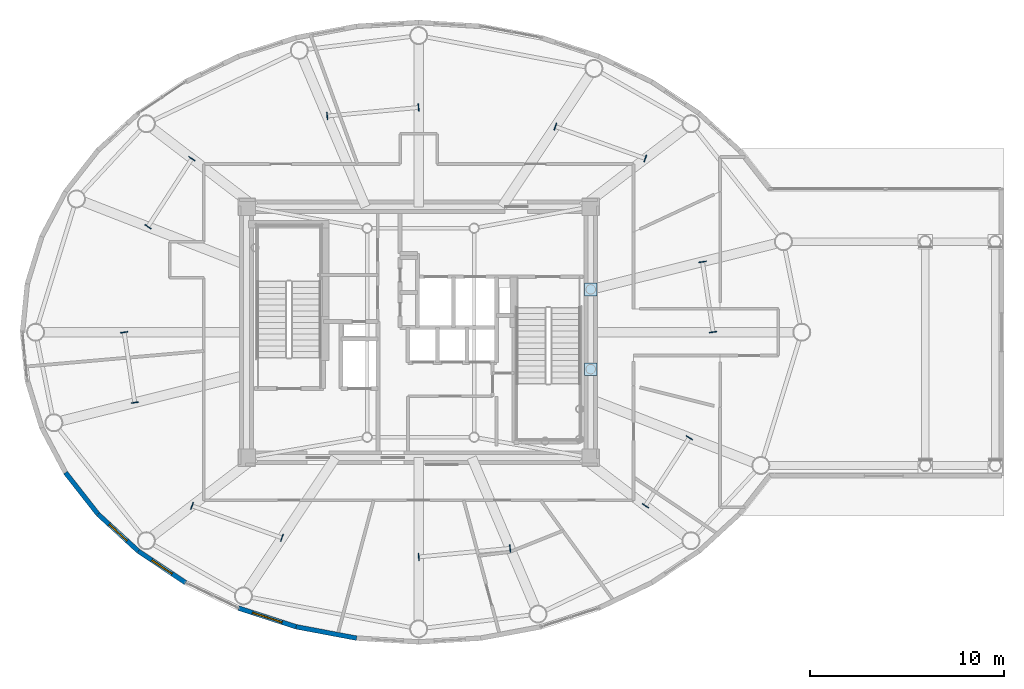
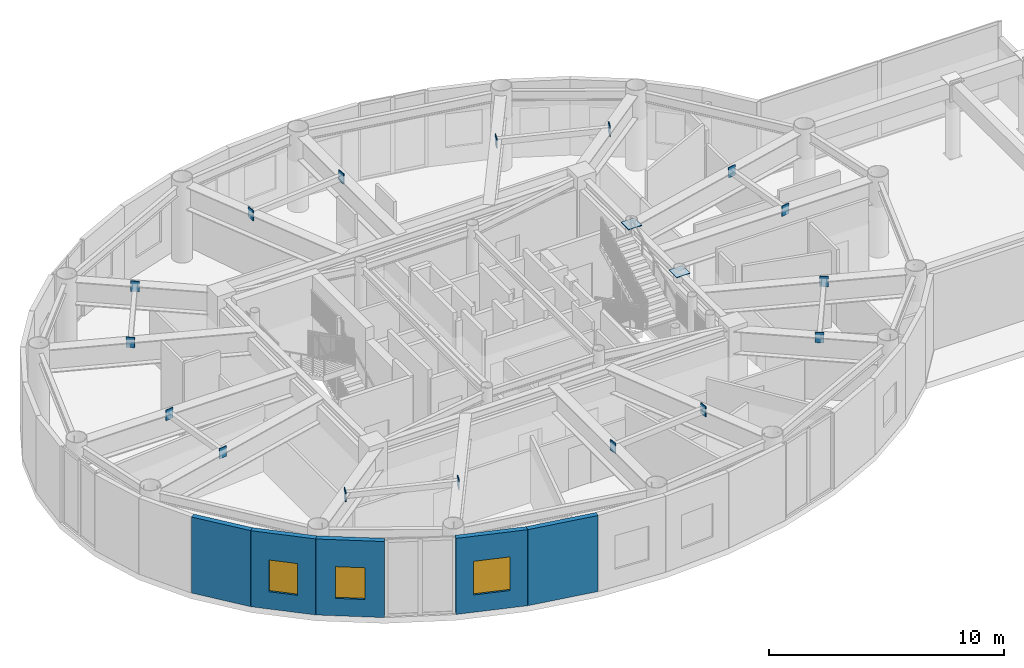
# One storey, part 15 of 26: 18 plates, 5 walls, 3 windows, 3 openings.
"""IFC4 building model written with IfcOpenShell, lengths in metres."""

from ifc_helpers import new_model, si_unit, direction, frame, frame_2d, origin, origin_2d, place, context, subcontext, project, spatial, rectangle, extrude, source, transform, mapped, material, layer, layer_set, type_object, element, fill, save


model = new_model("IFC4")

# Units and contexts
model_context = context("Model", 3, precision=1e-05, world=origin(), true_north=direction((0.0, 1.0)))
body_context = subcontext(model_context, "Body", "Model", "MODEL_VIEW")
ifc_project = project(units=[si_unit("LENGTHUNIT", "METRE"), si_unit("AREAUNIT", "SQUARE_METRE"), si_unit("VOLUMEUNIT", "CUBIC_METRE"), si_unit("PLANEANGLEUNIT", "RADIAN"), si_unit("MASSUNIT", "GRAM", prefix="KILO")], contexts=[model_context])

# Site, building, storey
site_placement = place(None, origin())
site = spatial("IfcSite", under=ifc_project, at=site_placement, CompositionType="ELEMENT")
building_placement = place(site_placement, origin())
building = spatial("IfcBuilding", under=site, at=building_placement, Name="Linh Dai School and Residence Tower", CompositionType="ELEMENT")
storey_placement = place(building_placement, frame((0.0, 0.0, 351.0)))
storey = spatial("IfcBuildingStorey", under=building, at=storey_placement, Name="L87", CompositionType="ELEMENT", Elevation=351.0)

# Plates
ifc_material_1 = material(Name="Structural Steel S355JR", Category="steel")
ifc_layer_1 = layer(ifc_material_1, 0.0400390625)
ifc_layer_set_1 = layer_set([ifc_layer_1], Name="Structural Steel S355JR")
plate_type = type_object("IfcPlateType", Name="PLT-GP1", PredefinedType="USERDEFINED", material=ifc_layer_set_1)
shared_shape_1 = source(origin(), body_context, "Body", "SweptSolid", [
    extrude(rectangle(XDim=0.0400390625, YDim=0.3798828125, at=origin_2d()), origin(), (0.0, 0.0, 1.0), 0.5400390625),
])
for number, where, z_axis, x_axis, name in (
    (1, (51.142333984375, 27.0048828125, 3.530029296875), (0.0, 0.0, 1.0), (-0.14919569937, 0.988807687718, 0.0), "L87 Secondary Beam End Plate 01A"),
    (2, (50.59716796875, 30.6171875, 3.530029296875), (0.0, 0.0, 1.0), (-0.14919569937, 0.988807687718, 0.0), "L87 Secondary Beam End Plate 01B"),
    (3, (47.654296875, 35.929931640625, 3.530029296875), (0.0, 0.0, 1.0), (-0.942250610754, 0.334908624154, 0.0), "L87 Secondary Beam End Plate 02A"),
    (4, (43.030517578125, 37.5732421875, 3.530029296875), (0.0, 0.0, 1.0), (-0.942250610754, 0.334908624154, 0.0), "L87 Secondary Beam End Plate 02B"),
    (5, (35.9951171875, 38.556396484375, 3.530029296875), (0.0, 0.0, 1.0), (-0.995631242952, -0.093372523034, 0.0), "L87 Secondary Beam End Plate 03A"),
    (6, (31.298095703125, 38.115966796875, 3.530029296875), (0.0, 0.0, 1.0), (-0.995631242952, -0.093372523034, 0.0), "L87 Secondary Beam End Plate 03B"),
    (7, (24.33837890625, 35.924072265625, 3.530029296875), (0.0, 0.0, 1.0), (-0.542321659553, -0.840170945451, 0.0), "L87 Secondary Beam End Plate 04A"),
    (8, (22.08056640625, 32.42626953125, 3.530029296875), (0.0, 0.0, 1.0), (-0.542321659553, -0.840170945451, 0.0), "L87 Secondary Beam End Plate 04B"),
    (9, (20.857666015625, 26.9951171875, 3.530029296875), (0.0, 0.0, 1.0), (0.14919569937, -0.988807687718, 0.0), "L87 Secondary Beam End Plate 05A"),
    (10, (21.40283203125, 23.3828125, 3.530029296875), (0.0, 0.0, 1.0), (0.14919569937, -0.988807687718, 0.0), "L87 Secondary Beam End Plate 05B"),
    (11, (24.345703125, 18.070068359375, 3.530029296875), (0.0, 0.0, 1.0), (0.942250610754, -0.334908624154, 0.0), "L87 Secondary Beam End Plate 06A"),
    (12, (28.969482421875, 16.4267578125, 3.530029296875), (0.0, 0.0, 1.0), (0.942250610754, -0.334908624154, 0.0), "L87 Secondary Beam End Plate 06B"),
    (13, (36.0048828125, 15.443603515625, 3.530029296875), (0.0, 0.0, 1.0), (0.995631242952, 0.093372523034, 0.0), "L87 Secondary Beam End Plate 07A"),
    (14, (40.701904296875, 15.884033203125, 3.530029296875), (0.0, 0.0, 1.0), (0.995631242952, 0.093372523034, 0.0), "L87 Secondary Beam End Plate 07B"),
    (15, (47.66162109375, 18.075927734375, 3.530029296875), (0.0, 0.0, 1.0), (0.542321659553, 0.840170945451, 0.0), "L87 Secondary Beam End Plate 08A"),
    (16, (49.91943359375, 21.57373046875, 3.530029296875), (0.0, 0.0, 1.0), (0.542321659553, 0.840170945451, 0.0), "L87 Secondary Beam End Plate 08B"),
):
    element("IfcPlate", number, at=place(storey_placement, frame(where, z_axis=z_axis, x_axis=x_axis)), inside=storey, type_object=plate_type, Name=name, ObjectType="GUSSET PLATE", PredefinedType="USERDEFINED", context=body_context, shape_type="MappedRepresentation", body=[
        mapped(shared_shape_1, transform((0.0, 0.0, 0.0), x_axis=(1.0, 0.0, 0.0), y_axis=(0.0, 1.0, 0.0), z_axis=(0.0, 0.0, 1.0), scale=1.0)),
    ])
shared_shape_2 = source(origin(), body_context, "Body", "SweptSolid", [
    extrude(rectangle(XDim=0.64990234375, YDim=0.64990234375, at=origin_2d()), origin(), (0.0, 0.0, 1.0), 0.0400390625),
])
for number, where, z_axis, x_axis, name in (
    (17, (44.85009765625, 25.10009765625, 3.909912109375), (0.0, 0.0, 1.0), (1.0, 0.0, 0.0), "L87 ECP-S Core Pier Cap Plate"),
    (18, (44.85009765625, 29.199951171875, 3.909912109375), (0.0, 0.0, 1.0), (1.0, 0.0, 0.0), "L87 ECP-N Core Pier Cap Plate"),
):
    element("IfcPlate", number, at=place(storey_placement, frame(where, z_axis=z_axis, x_axis=x_axis)), inside=storey, type_object=plate_type, Name=name, ObjectType="GUSSET PLATE", PredefinedType="USERDEFINED", context=body_context, shape_type="MappedRepresentation", body=[
        mapped(shared_shape_2, transform((0.0, 0.0, 0.0), x_axis=(1.0, 0.0, 0.0), y_axis=(0.0, 1.0, 0.0), z_axis=(0.0, 0.0, 1.0), scale=1.0)),
    ])

# Wall
ifc_material_2 = material(Name="Precast Concrete B45 (C35/45)", Category="concrete")
ifc_layer_2 = layer(ifc_material_2, 0.239990234375)
ifc_layer_set_2 = layer_set([ifc_layer_2], Name="Precast Concrete B45 (C35/45)")
wall_type = type_object("IfcWallType", Name="EW-TC-240", PredefinedType="SOLIDWALL", material=ifc_layer_set_2)
wall_1_placement = place(storey_placement, frame((19.5068359375, 17.648193359375, 0.0), z_axis=(0.0, 0.0, 1.0), x_axis=(-0.616286367698, 0.78752213492, 0.0)))
element("IfcWall", 19, at=wall_1_placement, inside=storey, type_object=wall_type, Name="L87 Terracotta Exterior Wall 24", PredefinedType="SOLIDWALL", context=body_context, shape_type="SweptSolid", body=[
    extrude(rectangle(XDim=2.7060546875, YDim=0.239990234375, at=frame_2d((1.35302734375, 0.0))), origin(), (0.0, 0.0, 1.0), 3.949951171875),
])

# Wall, opening, window
wall_2_placement = place(storey_placement, frame((21.581298828125, 15.745849609375, 0.0), z_axis=(0.0, 0.0, 1.0), x_axis=(-0.737020907932, 0.675869944051, 0.0)))
wall_2 = element("IfcWall", 20, at=wall_2_placement, inside=storey, type_object=wall_type, Name="L87 Terracotta Exterior Wall 25", PredefinedType="SOLIDWALL", context=body_context, shape_type="SweptSolid", body=[
    extrude(rectangle(XDim=2.814697265625, YDim=0.239990234375, at=frame_2d((1.4072265625, 0.0))), origin(), (0.0, 0.0, 1.0), 3.949951171875),
])
opening_1_placement = place(wall_2_placement, frame((0.781982421875, 0.0, 0.89990234375)))
opening_1 = element("IfcOpeningElement", 21, at=opening_1_placement, cuts=wall_2, Name="Opening W3", PredefinedType="OPENING", context=body_context, shape_type="SweptSolid", body=[
    extrude(rectangle(XDim=1.25, YDim=1.64990234375, at=origin_2d()), frame((0.625, 0.1298828125, 0.824951171875), z_axis=(0.0, -1.0, 0.0), x_axis=(1.0, 0.0, 0.0)), (0.0, 0.0, 1.0), 0.260009765625),
])
ifc_material_3 = material(Name="Double Low-E Insulated Glazing", Category="glass")
window_type_1 = type_object("IfcWindowType", Name="WN-RES-1250x1650", PartitioningType="SINGLE_PANEL", PredefinedType="WINDOW", material=ifc_material_3)
shared_shape_3 = source(origin(), body_context, "Body", "SweptSolid", [
    extrude(rectangle(XDim=1.25, YDim=1.64990234375, at=origin_2d()), frame((0.625, 0.030029296875, 0.824951171875), z_axis=(0.0, -1.0, 0.0), x_axis=(1.0, 0.0, 0.0)), (0.0, 0.0, 1.0), 0.06005859375),
])
window_1_placement = place(opening_1_placement, origin())
window_1 = element("IfcWindow", 22, at=window_1_placement, inside=storey, type_object=window_type_1, Name="L87 Exterior Window 25.1", OverallHeight=1.64990234375, OverallWidth=1.25, PartitioningType="SINGLE_PANEL", PredefinedType="WINDOW", context=body_context, shape_type="MappedRepresentation", body=[
    mapped(shared_shape_3, transform((0.0, 0.0, 0.0), x_axis=(1.0, 0.0, 0.0), y_axis=(0.0, 1.0, 0.0), z_axis=(0.0, 0.0, 1.0), scale=1.0)),
])
fill(opening_1, window_1)

wall_3_placement = place(storey_placement, frame((24.01220703125, 14.119873046875, 0.0), z_axis=(0.0, 0.0, 1.0), x_axis=(-0.831201688654, 0.555970999944, 0.0)))
wall_3 = element("IfcWall", 23, at=wall_3_placement, inside=storey, type_object=wall_type, Name="L87 Terracotta Exterior Wall 26", PredefinedType="SOLIDWALL", context=body_context, shape_type="SweptSolid", body=[
    extrude(rectangle(XDim=2.924560546875, YDim=0.239990234375, at=frame_2d((1.46240234375, 0.0))), origin(), (0.0, 0.0, 1.0), 3.949951171875),
])
opening_2_placement = place(wall_3_placement, frame((0.837158203125, 0.0, 0.89990234375)))
opening_2 = element("IfcOpeningElement", 24, at=opening_2_placement, cuts=wall_3, Name="Opening W3", PredefinedType="OPENING", context=body_context, shape_type="SweptSolid", body=[
    extrude(rectangle(XDim=1.25, YDim=1.64990234375, at=origin_2d()), frame((0.625, 0.1298828125, 0.824951171875), z_axis=(0.0, -1.0, 0.0), x_axis=(1.0, 0.0, 0.0)), (0.0, 0.0, 1.0), 0.260009765625),
])
window_2_placement = place(opening_2_placement, origin())
window_2 = element("IfcWindow", 25, at=window_2_placement, inside=storey, type_object=window_type_1, Name="L87 Exterior Window 26.1", OverallHeight=1.64990234375, OverallWidth=1.25, PartitioningType="SINGLE_PANEL", PredefinedType="WINDOW", context=body_context, shape_type="MappedRepresentation", body=[
    mapped(shared_shape_3, transform((0.0, 0.0, 0.0), x_axis=(1.0, 0.0, 0.0), y_axis=(0.0, 1.0, 0.0), z_axis=(0.0, 0.0, 1.0), scale=1.0)),
])
fill(opening_2, window_2)

wall_4_placement = place(storey_placement, frame((29.696044921875, 11.85205078125, 0.0), z_axis=(0.0, 0.0, 1.0), x_axis=(-0.951212850731, 0.308535431682, 0.0)))
wall_4 = element("IfcWall", 26, at=wall_4_placement, inside=storey, type_object=wall_type, Name="L87 Terracotta Exterior Wall 28", PredefinedType="SOLIDWALL", context=body_context, shape_type="SweptSolid", body=[
    extrude(rectangle(XDim=3.108154296875, YDim=0.239990234375, at=frame_2d((1.55419921875, 0.0))), origin(), (0.0, 0.0, 1.0), 3.949951171875),
])
opening_3_placement = place(wall_4_placement, frame((0.75390625, 0.0, 0.89990234375)))
opening_3 = element("IfcOpeningElement", 27, at=opening_3_placement, cuts=wall_4, Name="Opening W2", PredefinedType="OPENING", context=body_context, shape_type="SweptSolid", body=[
    extrude(rectangle(XDim=1.60009765625, YDim=1.75, at=origin_2d()), frame((0.800048828125, 0.1298828125, 0.875), z_axis=(0.0, -1.0, 0.0), x_axis=(1.0, 0.0, 0.0)), (0.0, 0.0, 1.0), 0.260009765625),
])
window_type_2 = type_object("IfcWindowType", Name="WN-RES-1600x1750", PartitioningType="DOUBLE_PANEL_VERTICAL", PredefinedType="WINDOW", material=ifc_material_3)
shared_shape_4 = source(origin(), body_context, "Body", "SweptSolid", [
    extrude(rectangle(XDim=1.60009765625, YDim=1.75, at=origin_2d()), frame((0.800048828125, 0.030029296875, 0.875), z_axis=(0.0, -1.0, 0.0), x_axis=(1.0, 0.0, 0.0)), (0.0, 0.0, 1.0), 0.06005859375),
])
window_3_placement = place(opening_3_placement, origin())
window_3 = element("IfcWindow", 28, at=window_3_placement, inside=storey, type_object=window_type_2, Name="L87 Exterior Window 28.1", OverallHeight=1.75, OverallWidth=1.60009765625, PartitioningType="DOUBLE_PANEL_VERTICAL", PredefinedType="WINDOW", context=body_context, shape_type="MappedRepresentation", body=[
    mapped(shared_shape_4, transform((0.0, 0.0, 0.0), x_axis=(1.0, 0.0, 0.0), y_axis=(0.0, 1.0, 0.0), z_axis=(0.0, 0.0, 1.0), scale=1.0)),
])
fill(opening_3, window_3)

# Wall
wall_5_placement = place(storey_placement, frame((32.80859375, 11.2666015625, 0.0), z_axis=(0.0, 0.0, 1.0), x_axis=(-0.98276643264, 0.184851667226, 0.0)))
element("IfcWall", 29, at=wall_5_placement, inside=storey, type_object=wall_type, Name="L87 Terracotta Exterior Wall 29", PredefinedType="SOLIDWALL", context=body_context, shape_type="SweptSolid", body=[
    extrude(rectangle(XDim=3.167236328125, YDim=0.239990234375, at=frame_2d((1.58349609375, 0.0))), origin(), (0.0, 0.0, 1.0), 3.949951171875),
])

save(model, "model.ifc")
